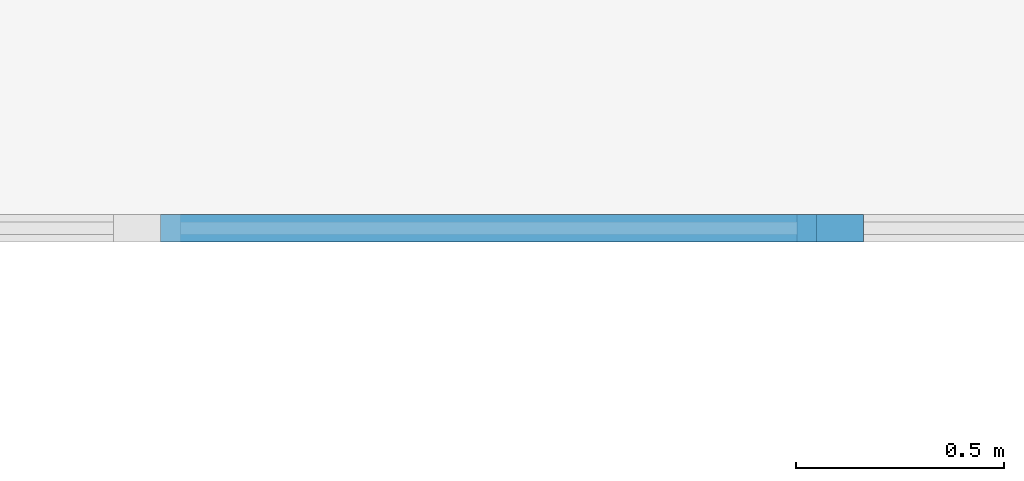
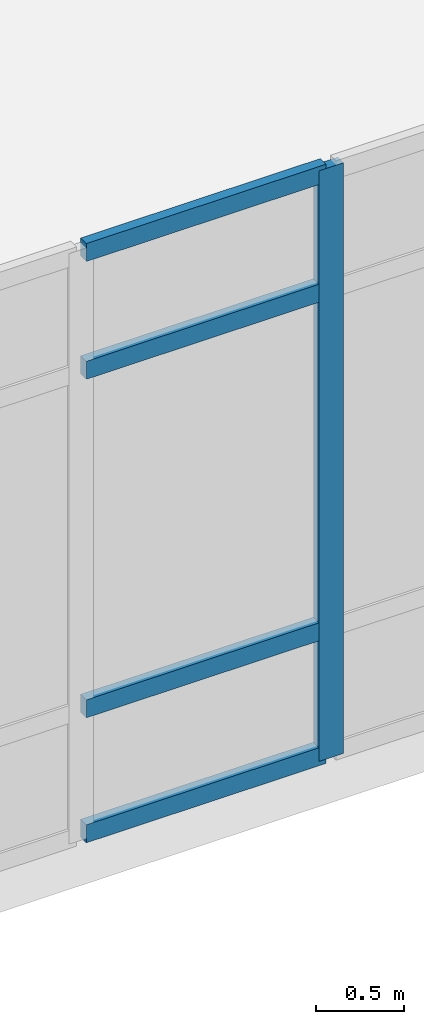
# One storey, part 26 of 84: 5 members, 1 element without a shape of its own.
"""IFC4 building model written with IfcOpenShell, lengths in metres."""

from ifc_helpers import new_model, si_unit, direction, frame, origin, origin_2d, place, context, subcontext, project, spatial, rectangle, extrude, material, layer, layer_set, material_profile, profile_set, type_object, element, aggregate, save


model = new_model("IFC4")

# Units and contexts
model_context = context("Model", 3, precision=1e-05, world=origin(), true_north=direction((0.0, 1.0)))
body_context = subcontext(model_context, "Body", "Model", "MODEL_VIEW")
ifc_project = project(units=[si_unit("LENGTHUNIT", "METRE"), si_unit("AREAUNIT", "SQUARE_METRE"), si_unit("VOLUMEUNIT", "CUBIC_METRE"), si_unit("PLANEANGLEUNIT", "RADIAN"), si_unit("MASSUNIT", "GRAM", prefix="KILO")], contexts=[model_context])

# Site, building, storey
site_placement = place(None, origin())
site = spatial("IfcSite", under=ifc_project, at=site_placement, CompositionType="ELEMENT")
building_placement = place(site_placement, origin())
building = spatial("IfcBuilding", under=site, at=building_placement, Name="Tlacozan Convention Centre", CompositionType="ELEMENT")
storey_placement = place(building_placement, frame((0.0, 0.0, 6.0)))
storey = spatial("IfcBuildingStorey", under=building, at=storey_placement, Name="L01", CompositionType="ELEMENT", Elevation=6.0)

# Curtain wall, members
ifc_material = material(Name="Dark Bronze Anodised Aluminium", Category="aluminium")
ifc_layer = layer(ifc_material, 0.199951171875)
ifc_layer_set = layer_set([ifc_layer], Name="Dark Bronze Anodised Aluminium")
curtain_wall_type = type_object("IfcCurtainWallType", Name="Unitised Ballroom Cloister L01 CW08", PredefinedType="NOTDEFINED", material=ifc_layer_set)
curtain_wall_placement = place(storey_placement, origin())
curtain_wall = element("IfcCurtainWall", 1, at=curtain_wall_placement, inside=storey, type_object=curtain_wall_type, Name="L01 CW-08 Run 165", PredefinedType="NOTDEFINED")
ifc_material_profile_1 = material_profile(ifc_material, rectangle(XDim=0.06494140625, YDim=0.159912109375, at=origin_2d()), Name="ALU 65x160")
ifc_profile_set_1 = profile_set([ifc_material_profile_1], Name="Dark Bronze Anodised Aluminium")
member_type_1 = type_object("IfcMemberType", Name="Curtain Wall Mullion 65x160", PredefinedType="MULLION", material=ifc_profile_set_1)
member_1_placement = place(storey_placement, frame((126.360107421875, 27.0, 0.0), z_axis=(0.0, 0.0, 1.0), x_axis=(0.0, 1.0, 0.0)))
member_1 = element("IfcMember", 2, at=member_1_placement, type_object=member_type_1, Name="CW-08 mullion 5", PredefinedType="MULLION", context=body_context, shape_type="SweptSolid", body=[
    extrude(rectangle(XDim=0.06494140625, YDim=0.159912109375, at=origin_2d()), origin(), (0.0, 0.0, 1.0), 4.10009765625),
])
ifc_material_profile_2 = material_profile(ifc_material, rectangle(XDim=0.06494140625, YDim=0.125, at=origin_2d()), Name="ALU 65x125")
ifc_profile_set_2 = profile_set([ifc_material_profile_2], Name="Dark Bronze Anodised Aluminium")
member_type_2 = type_object("IfcMemberType", Name="Curtain Wall Transom 65x125", PredefinedType="USERDEFINED", material=ifc_profile_set_2)
member_2_placement = place(storey_placement, frame((124.75244140625, 27.0, 0.032470703125), z_axis=(1.0, 0.0, 0.0), x_axis=(0.0, 1.0, 0.0)))
member_2 = element("IfcMember", 3, at=member_2_placement, type_object=member_type_2, Name="CW-08 transom 4.1", ObjectType="TRANSOM", PredefinedType="USERDEFINED", context=body_context, shape_type="SweptSolid", body=[
    extrude(rectangle(XDim=0.06494140625, YDim=0.125, at=origin_2d()), origin(), (0.0, 0.0, 1.0), 1.574951171875),
])
member_3_placement = place(storey_placement, frame((124.75244140625, 27.0, 0.89990234375), z_axis=(1.0, 0.0, 0.0), x_axis=(0.0, 1.0, 0.0)))
member_3 = element("IfcMember", 4, at=member_3_placement, type_object=member_type_2, Name="CW-08 transom 4.2", ObjectType="TRANSOM", PredefinedType="USERDEFINED", context=body_context, shape_type="SweptSolid", body=[
    extrude(rectangle(XDim=0.06494140625, YDim=0.125, at=origin_2d()), origin(), (0.0, 0.0, 1.0), 1.574951171875),
])
member_4_placement = place(storey_placement, frame((124.75244140625, 27.0, 3.25), z_axis=(1.0, 0.0, 0.0), x_axis=(0.0, 1.0, 0.0)))
member_4 = element("IfcMember", 5, at=member_4_placement, type_object=member_type_2, Name="CW-08 transom 4.3", ObjectType="TRANSOM", PredefinedType="USERDEFINED", context=body_context, shape_type="SweptSolid", body=[
    extrude(rectangle(XDim=0.06494140625, YDim=0.125, at=origin_2d()), origin(), (0.0, 0.0, 1.0), 1.574951171875),
])
member_5_placement = place(storey_placement, frame((124.75244140625, 27.0, 4.0673828125), z_axis=(1.0, 0.0, 0.0), x_axis=(0.0, 1.0, 0.0)))
member_5 = element("IfcMember", 6, at=member_5_placement, type_object=member_type_2, Name="CW-08 transom 4.4", ObjectType="TRANSOM", PredefinedType="USERDEFINED", context=body_context, shape_type="SweptSolid", body=[
    extrude(rectangle(XDim=0.06494140625, YDim=0.125, at=origin_2d()), origin(), (0.0, 0.0, 1.0), 1.574951171875),
])
aggregate(curtain_wall, [member_1, member_2, member_3, member_4, member_5])

save(model, "model.ifc")
